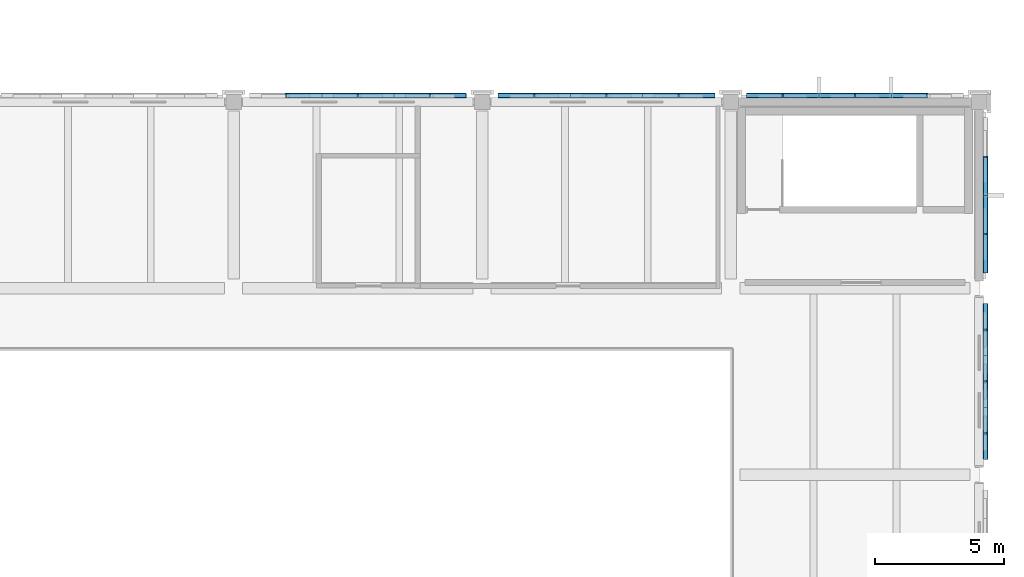
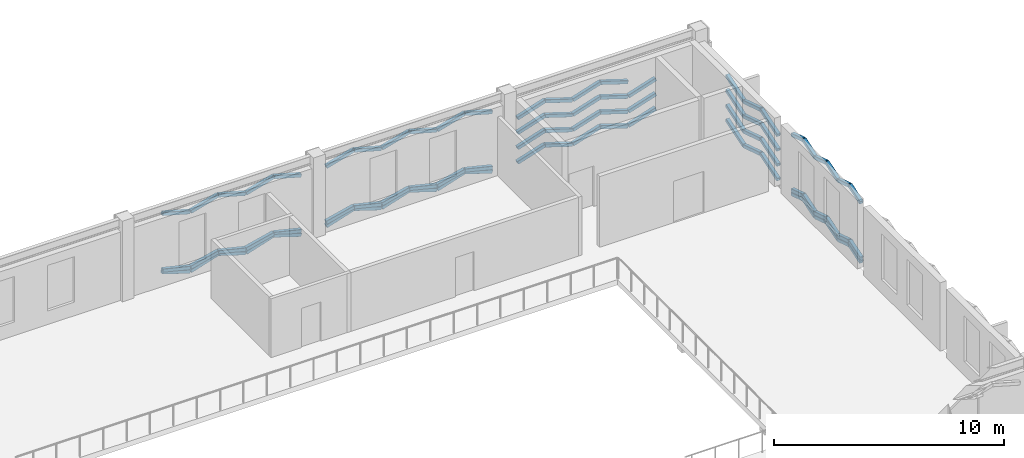
# One storey, part 149 of 180: 82 plates.
"""IFC4 building model written with IfcOpenShell, lengths in metres."""

from ifc_helpers import new_model, si_unit, direction, frame, origin, origin_2d, place, context, subcontext, project, spatial, hollow_rectangle, extrude, material, material_profile, profile_set, type_object, element, save


model = new_model("IFC4")

# Units and contexts
model_context = context("Model", 3, precision=1e-05, world=origin(), true_north=direction((0.0, 1.0)))
body_context = subcontext(model_context, "Body", "Model", "MODEL_VIEW")
ifc_project = project(units=[si_unit("LENGTHUNIT", "METRE"), si_unit("AREAUNIT", "SQUARE_METRE"), si_unit("VOLUMEUNIT", "CUBIC_METRE"), si_unit("PLANEANGLEUNIT", "RADIAN"), si_unit("MASSUNIT", "GRAM", prefix="KILO")], contexts=[model_context])

# Site, building, storey
site_placement = place(None, origin())
site = spatial("IfcSite", under=ifc_project, at=site_placement, CompositionType="ELEMENT")
building_placement = place(site_placement, origin())
building = spatial("IfcBuilding", under=site, at=building_placement, Name="Asteropetra Specialist Clinic", CompositionType="ELEMENT")
storey_placement = place(building_placement, frame((0.0, 0.0, 4.419921875)))
storey = spatial("IfcBuildingStorey", under=building, at=storey_placement, Name="L01", CompositionType="ELEMENT", Elevation=4.419921875)

# Plates
ifc_material = material(Name="Chevron emerald aluminium 6063-T6", Category="aluminium")
ifc_material_profile = material_profile(ifc_material, hollow_rectangle(XDim=0.179931640625, YDim=0.179931640625, WallThickness=0.010009765625, InnerFilletRadius=0.008056640625, OuterFilletRadius=0.01611328125, at=origin_2d()), Name="SHS 180x180x10.0")
ifc_profile_set = profile_set([ifc_material_profile], Name="Chevron emerald aluminium 6063-T6")
plate_type = type_object("IfcPlateType", Name="CHV-RIB-180", PredefinedType="SHEET", material=ifc_profile_set)
plate_1_placement = place(storey_placement, frame((133.760009765625, 105.842041015625, 0.0400390625), z_axis=(-0.952424147199, 0.0, 0.304775727104), x_axis=(0.0, -1.0, 0.0)))
element("IfcPlate", 1, at=plate_1_placement, inside=storey, type_object=plate_type, Name="Chevron Facade Screen Fin CVR-0151", PredefinedType="SHEET", context=body_context, shape_type="SweptSolid", body=[
    extrude(hollow_rectangle(XDim=0.179931640625, YDim=0.179931640625, WallThickness=0.010009765625, InnerFilletRadius=0.008056640625, OuterFilletRadius=0.01611328125, at=origin_2d()), origin(), (0.0, 0.0, 1.0), 1.44189453125),
])
plate_2_placement = place(storey_placement, frame((132.38671875, 105.842041015625, 0.4794921875), z_axis=(-0.952439871219, 0.0, -0.304726585175), x_axis=(0.0, -1.0, 0.0)))
element("IfcPlate", 2, at=plate_2_placement, inside=storey, type_object=plate_type, Name="Chevron Facade Screen Fin CVR-0152", PredefinedType="SHEET", context=body_context, shape_type="SweptSolid", body=[
    extrude(hollow_rectangle(XDim=0.179931640625, YDim=0.179931640625, WallThickness=0.010009765625, InnerFilletRadius=0.008056640625, OuterFilletRadius=0.01611328125, at=origin_2d()), origin(), (0.0, 0.0, 1.0), 1.442138671875),
])
plate_3_placement = place(storey_placement, frame((133.760009765625, 105.842041015625, 0.239990234375), z_axis=(-0.972308795496, 0.0, 0.233699820713), x_axis=(0.0, -1.0, 0.0)))
element("IfcPlate", 3, at=plate_3_placement, inside=storey, type_object=plate_type, Name="Chevron Facade Screen Fin CVR-0153", PredefinedType="SHEET", context=body_context, shape_type="SweptSolid", body=[
    extrude(hollow_rectangle(XDim=0.179931640625, YDim=0.179931640625, WallThickness=0.010009765625, InnerFilletRadius=0.008056640625, OuterFilletRadius=0.01611328125, at=origin_2d()), origin(), (0.0, 0.0, 1.0), 1.412353515625),
])
plate_4_placement = place(storey_placement, frame((132.38671875, 105.842041015625, 0.570068359375), z_axis=(-0.972318233691, 0.0, -0.233660549582), x_axis=(0.0, -1.0, 0.0)))
element("IfcPlate", 4, at=plate_4_placement, inside=storey, type_object=plate_type, Name="Chevron Facade Screen Fin CVR-0154", PredefinedType="SHEET", context=body_context, shape_type="SweptSolid", body=[
    extrude(hollow_rectangle(XDim=0.179931640625, YDim=0.179931640625, WallThickness=0.010009765625, InnerFilletRadius=0.008056640625, OuterFilletRadius=0.01611328125, at=origin_2d()), origin(), (0.0, 0.0, 1.0), 1.41259765625),
])
plate_5_placement = place(storey_placement, frame((133.760009765625, 105.842041015625, 3.190185546875), z_axis=(-0.96198081159, 0.0, 0.273117041086), x_axis=(0.0, -1.0, 0.0)))
element("IfcPlate", 5, at=plate_5_placement, inside=storey, type_object=plate_type, Name="Chevron Facade Screen Fin CVR-0155", PredefinedType="SHEET", context=body_context, shape_type="SweptSolid", body=[
    extrude(hollow_rectangle(XDim=0.179931640625, YDim=0.179931640625, WallThickness=0.010009765625, InnerFilletRadius=0.008056640625, OuterFilletRadius=0.01611328125, at=origin_2d()), origin(), (0.0, 0.0, 1.0), 1.427490234375),
])
plate_6_placement = place(storey_placement, frame((132.38671875, 105.842041015625, 3.580078125), z_axis=(-0.961993565235, 0.0, -0.273072115834), x_axis=(0.0, -1.0, 0.0)))
element("IfcPlate", 6, at=plate_6_placement, inside=storey, type_object=plate_type, Name="Chevron Facade Screen Fin CVR-0156", PredefinedType="SHEET", context=body_context, shape_type="SweptSolid", body=[
    extrude(hollow_rectangle(XDim=0.179931640625, YDim=0.179931640625, WallThickness=0.010009765625, InnerFilletRadius=0.008056640625, OuterFilletRadius=0.01611328125, at=origin_2d()), origin(), (0.0, 0.0, 1.0), 1.427734375),
])
for number, where, z_axis, x_axis, name in (
    (7, (130.973388671875, 105.842041015625, 0.0400390625), (-0.952424147199, 0.0, 0.304775727104), (0.0, -1.0, 0.0), "Chevron Facade Screen Fin CVR-0157"),
    (8, (129.60009765625, 105.842041015625, 0.4794921875), (-0.952424147199, 0.0, -0.304775727104), (0.0, -1.0, 0.0), "Chevron Facade Screen Fin CVR-0158"),
):
    element("IfcPlate", number, at=place(storey_placement, frame(where, z_axis=z_axis, x_axis=x_axis)), inside=storey, type_object=plate_type, Name=name, PredefinedType="SHEET", context=body_context, shape_type="SweptSolid", body=[
        extrude(hollow_rectangle(XDim=0.179931640625, YDim=0.179931640625, WallThickness=0.010009765625, InnerFilletRadius=0.008056640625, OuterFilletRadius=0.01611328125, at=origin_2d()), origin(), (0.0, 0.0, 1.0), 1.44189453125),
    ])
for number, where, z_axis, x_axis, name in (
    (9, (130.973388671875, 105.842041015625, 0.239990234375), (-0.972308795496, 0.0, 0.233699820713), (0.0, -1.0, 0.0), "Chevron Facade Screen Fin CVR-0159"),
    (10, (129.60009765625, 105.842041015625, 0.570068359375), (-0.972308795496, 0.0, -0.233699820713), (0.0, -1.0, 0.0), "Chevron Facade Screen Fin CVR-0160"),
):
    element("IfcPlate", number, at=place(storey_placement, frame(where, z_axis=z_axis, x_axis=x_axis)), inside=storey, type_object=plate_type, Name=name, PredefinedType="SHEET", context=body_context, shape_type="SweptSolid", body=[
        extrude(hollow_rectangle(XDim=0.179931640625, YDim=0.179931640625, WallThickness=0.010009765625, InnerFilletRadius=0.008056640625, OuterFilletRadius=0.01611328125, at=origin_2d()), origin(), (0.0, 0.0, 1.0), 1.412353515625),
    ])
for number, where, z_axis, x_axis, name in (
    (11, (130.973388671875, 105.842041015625, 3.190185546875), (-0.96198081159, 0.0, 0.273117041086), (0.0, -1.0, 0.0), "Chevron Facade Screen Fin CVR-0161"),
    (12, (129.60009765625, 105.842041015625, 3.580078125), (-0.96198081159, 0.0, -0.273117041086), (0.0, -1.0, 0.0), "Chevron Facade Screen Fin CVR-0162"),
):
    element("IfcPlate", number, at=place(storey_placement, frame(where, z_axis=z_axis, x_axis=x_axis)), inside=storey, type_object=plate_type, Name=name, PredefinedType="SHEET", context=body_context, shape_type="SweptSolid", body=[
        extrude(hollow_rectangle(XDim=0.179931640625, YDim=0.179931640625, WallThickness=0.010009765625, InnerFilletRadius=0.008056640625, OuterFilletRadius=0.01611328125, at=origin_2d()), origin(), (0.0, 0.0, 1.0), 1.427490234375),
    ])
plate_7_placement = place(storey_placement, frame((128.186767578125, 105.842041015625, 0.0400390625), z_axis=(-0.952439871219, 0.0, 0.304726585175), x_axis=(0.0, -1.0, 0.0)))
element("IfcPlate", 13, at=plate_7_placement, inside=storey, type_object=plate_type, Name="Chevron Facade Screen Fin CVR-0163", PredefinedType="SHEET", context=body_context, shape_type="SweptSolid", body=[
    extrude(hollow_rectangle(XDim=0.179931640625, YDim=0.179931640625, WallThickness=0.010009765625, InnerFilletRadius=0.008056640625, OuterFilletRadius=0.01611328125, at=origin_2d()), origin(), (0.0, 0.0, 1.0), 1.442138671875),
])
plate_8_placement = place(storey_placement, frame((128.186767578125, 105.842041015625, 0.239990234375), z_axis=(-0.972318233691, 0.0, 0.233660549582), x_axis=(0.0, -1.0, 0.0)))
element("IfcPlate", 14, at=plate_8_placement, inside=storey, type_object=plate_type, Name="Chevron Facade Screen Fin CVR-0165", PredefinedType="SHEET", context=body_context, shape_type="SweptSolid", body=[
    extrude(hollow_rectangle(XDim=0.179931640625, YDim=0.179931640625, WallThickness=0.010009765625, InnerFilletRadius=0.008056640625, OuterFilletRadius=0.01611328125, at=origin_2d()), origin(), (0.0, 0.0, 1.0), 1.41259765625),
])
plate_9_placement = place(storey_placement, frame((128.186767578125, 105.842041015625, 3.190185546875), z_axis=(-0.961993565235, 0.0, 0.273072115834), x_axis=(0.0, -1.0, 0.0)))
element("IfcPlate", 15, at=plate_9_placement, inside=storey, type_object=plate_type, Name="Chevron Facade Screen Fin CVR-0167", PredefinedType="SHEET", context=body_context, shape_type="SweptSolid", body=[
    extrude(hollow_rectangle(XDim=0.179931640625, YDim=0.179931640625, WallThickness=0.010009765625, InnerFilletRadius=0.008056640625, OuterFilletRadius=0.01611328125, at=origin_2d()), origin(), (0.0, 0.0, 1.0), 1.427734375),
])
plate_10_placement = place(storey_placement, frame((143.360107421875, 105.842041015625, 0.0400390625), z_axis=(-0.952424147199, 0.0, 0.304775727104), x_axis=(0.0, -1.0, 0.0)))
element("IfcPlate", 16, at=plate_10_placement, inside=storey, type_object=plate_type, Name="Chevron Facade Screen Fin CVR-0187", PredefinedType="SHEET", context=body_context, shape_type="SweptSolid", body=[
    extrude(hollow_rectangle(XDim=0.179931640625, YDim=0.179931640625, WallThickness=0.010009765625, InnerFilletRadius=0.008056640625, OuterFilletRadius=0.01611328125, at=origin_2d()), origin(), (0.0, 0.0, 1.0), 1.44189453125),
])
plate_11_placement = place(storey_placement, frame((141.98681640625, 105.842041015625, 0.4794921875), z_axis=(-0.952439871219, 0.0, -0.304726585175), x_axis=(0.0, -1.0, 0.0)))
element("IfcPlate", 17, at=plate_11_placement, inside=storey, type_object=plate_type, Name="Chevron Facade Screen Fin CVR-0188", PredefinedType="SHEET", context=body_context, shape_type="SweptSolid", body=[
    extrude(hollow_rectangle(XDim=0.179931640625, YDim=0.179931640625, WallThickness=0.010009765625, InnerFilletRadius=0.008056640625, OuterFilletRadius=0.01611328125, at=origin_2d()), origin(), (0.0, 0.0, 1.0), 1.442138671875),
])
plate_12_placement = place(storey_placement, frame((143.360107421875, 105.842041015625, 0.239990234375), z_axis=(-0.972308795496, 0.0, 0.233699820713), x_axis=(0.0, -1.0, 0.0)))
element("IfcPlate", 18, at=plate_12_placement, inside=storey, type_object=plate_type, Name="Chevron Facade Screen Fin CVR-0189", PredefinedType="SHEET", context=body_context, shape_type="SweptSolid", body=[
    extrude(hollow_rectangle(XDim=0.179931640625, YDim=0.179931640625, WallThickness=0.010009765625, InnerFilletRadius=0.008056640625, OuterFilletRadius=0.01611328125, at=origin_2d()), origin(), (0.0, 0.0, 1.0), 1.412353515625),
])
plate_13_placement = place(storey_placement, frame((141.98681640625, 105.842041015625, 0.570068359375), z_axis=(-0.972318233691, 0.0, -0.233660549582), x_axis=(0.0, -1.0, 0.0)))
element("IfcPlate", 19, at=plate_13_placement, inside=storey, type_object=plate_type, Name="Chevron Facade Screen Fin CVR-0190", PredefinedType="SHEET", context=body_context, shape_type="SweptSolid", body=[
    extrude(hollow_rectangle(XDim=0.179931640625, YDim=0.179931640625, WallThickness=0.010009765625, InnerFilletRadius=0.008056640625, OuterFilletRadius=0.01611328125, at=origin_2d()), origin(), (0.0, 0.0, 1.0), 1.41259765625),
])
plate_14_placement = place(storey_placement, frame((143.360107421875, 105.842041015625, 3.190185546875), z_axis=(-0.96198081159, 0.0, 0.273117041086), x_axis=(0.0, -1.0, 0.0)))
element("IfcPlate", 20, at=plate_14_placement, inside=storey, type_object=plate_type, Name="Chevron Facade Screen Fin CVR-0191", PredefinedType="SHEET", context=body_context, shape_type="SweptSolid", body=[
    extrude(hollow_rectangle(XDim=0.179931640625, YDim=0.179931640625, WallThickness=0.010009765625, InnerFilletRadius=0.008056640625, OuterFilletRadius=0.01611328125, at=origin_2d()), origin(), (0.0, 0.0, 1.0), 1.427490234375),
])
plate_15_placement = place(storey_placement, frame((141.98681640625, 105.842041015625, 3.580078125), z_axis=(-0.961993565235, 0.0, -0.273072115834), x_axis=(0.0, -1.0, 0.0)))
element("IfcPlate", 21, at=plate_15_placement, inside=storey, type_object=plate_type, Name="Chevron Facade Screen Fin CVR-0192", PredefinedType="SHEET", context=body_context, shape_type="SweptSolid", body=[
    extrude(hollow_rectangle(XDim=0.179931640625, YDim=0.179931640625, WallThickness=0.010009765625, InnerFilletRadius=0.008056640625, OuterFilletRadius=0.01611328125, at=origin_2d()), origin(), (0.0, 0.0, 1.0), 1.427734375),
])
for number, where, z_axis, x_axis, name in (
    (22, (140.5732421875, 105.842041015625, 0.0400390625), (-0.952424147199, 0.0, 0.304775727104), (0.0, -1.0, 0.0), "Chevron Facade Screen Fin CVR-0193"),
    (23, (139.199951171875, 105.842041015625, 0.4794921875), (-0.952424147199, 0.0, -0.304775727104), (0.0, -1.0, 0.0), "Chevron Facade Screen Fin CVR-0194"),
):
    element("IfcPlate", number, at=place(storey_placement, frame(where, z_axis=z_axis, x_axis=x_axis)), inside=storey, type_object=plate_type, Name=name, PredefinedType="SHEET", context=body_context, shape_type="SweptSolid", body=[
        extrude(hollow_rectangle(XDim=0.179931640625, YDim=0.179931640625, WallThickness=0.010009765625, InnerFilletRadius=0.008056640625, OuterFilletRadius=0.01611328125, at=origin_2d()), origin(), (0.0, 0.0, 1.0), 1.44189453125),
    ])
for number, where, z_axis, x_axis, name in (
    (24, (140.5732421875, 105.842041015625, 0.239990234375), (-0.972308795496, 0.0, 0.233699820713), (0.0, -1.0, 0.0), "Chevron Facade Screen Fin CVR-0195"),
    (25, (139.199951171875, 105.842041015625, 0.570068359375), (-0.972308795496, 0.0, -0.233699820713), (0.0, -1.0, 0.0), "Chevron Facade Screen Fin CVR-0196"),
):
    element("IfcPlate", number, at=place(storey_placement, frame(where, z_axis=z_axis, x_axis=x_axis)), inside=storey, type_object=plate_type, Name=name, PredefinedType="SHEET", context=body_context, shape_type="SweptSolid", body=[
        extrude(hollow_rectangle(XDim=0.179931640625, YDim=0.179931640625, WallThickness=0.010009765625, InnerFilletRadius=0.008056640625, OuterFilletRadius=0.01611328125, at=origin_2d()), origin(), (0.0, 0.0, 1.0), 1.412353515625),
    ])
for number, where, z_axis, x_axis, name in (
    (26, (140.5732421875, 105.842041015625, 3.190185546875), (-0.96198081159, 0.0, 0.273117041086), (0.0, -1.0, 0.0), "Chevron Facade Screen Fin CVR-0197"),
    (27, (139.199951171875, 105.842041015625, 3.580078125), (-0.96198081159, 0.0, -0.273117041086), (0.0, -1.0, 0.0), "Chevron Facade Screen Fin CVR-0198"),
):
    element("IfcPlate", number, at=place(storey_placement, frame(where, z_axis=z_axis, x_axis=x_axis)), inside=storey, type_object=plate_type, Name=name, PredefinedType="SHEET", context=body_context, shape_type="SweptSolid", body=[
        extrude(hollow_rectangle(XDim=0.179931640625, YDim=0.179931640625, WallThickness=0.010009765625, InnerFilletRadius=0.008056640625, OuterFilletRadius=0.01611328125, at=origin_2d()), origin(), (0.0, 0.0, 1.0), 1.427490234375),
    ])
for number, where, z_axis, x_axis, name in (
    (28, (137.78662109375, 105.842041015625, 0.0400390625), (-0.952424147199, 0.0, 0.304775727104), (0.0, -1.0, 0.0), "Chevron Facade Screen Fin CVR-0199"),
    (29, (136.413330078125, 105.842041015625, 0.4794921875), (-0.952424147199, 0.0, -0.304775727104), (0.0, -1.0, 0.0), "Chevron Facade Screen Fin CVR-0200"),
):
    element("IfcPlate", number, at=place(storey_placement, frame(where, z_axis=z_axis, x_axis=x_axis)), inside=storey, type_object=plate_type, Name=name, PredefinedType="SHEET", context=body_context, shape_type="SweptSolid", body=[
        extrude(hollow_rectangle(XDim=0.179931640625, YDim=0.179931640625, WallThickness=0.010009765625, InnerFilletRadius=0.008056640625, OuterFilletRadius=0.01611328125, at=origin_2d()), origin(), (0.0, 0.0, 1.0), 1.44189453125),
    ])
for number, where, z_axis, x_axis, name in (
    (30, (137.78662109375, 105.842041015625, 0.239990234375), (-0.972308795496, 0.0, 0.233699820713), (0.0, -1.0, 0.0), "Chevron Facade Screen Fin CVR-0201"),
    (31, (136.413330078125, 105.842041015625, 0.570068359375), (-0.972308795496, 0.0, -0.233699820713), (0.0, -1.0, 0.0), "Chevron Facade Screen Fin CVR-0202"),
):
    element("IfcPlate", number, at=place(storey_placement, frame(where, z_axis=z_axis, x_axis=x_axis)), inside=storey, type_object=plate_type, Name=name, PredefinedType="SHEET", context=body_context, shape_type="SweptSolid", body=[
        extrude(hollow_rectangle(XDim=0.179931640625, YDim=0.179931640625, WallThickness=0.010009765625, InnerFilletRadius=0.008056640625, OuterFilletRadius=0.01611328125, at=origin_2d()), origin(), (0.0, 0.0, 1.0), 1.412353515625),
    ])
for number, where, z_axis, x_axis, name in (
    (32, (137.78662109375, 105.842041015625, 3.190185546875), (-0.96198081159, 0.0, 0.273117041086), (0.0, -1.0, 0.0), "Chevron Facade Screen Fin CVR-0203"),
    (33, (136.413330078125, 105.842041015625, 3.580078125), (-0.96198081159, 0.0, -0.273117041086), (0.0, -1.0, 0.0), "Chevron Facade Screen Fin CVR-0204"),
):
    element("IfcPlate", number, at=place(storey_placement, frame(where, z_axis=z_axis, x_axis=x_axis)), inside=storey, type_object=plate_type, Name=name, PredefinedType="SHEET", context=body_context, shape_type="SweptSolid", body=[
        extrude(hollow_rectangle(XDim=0.179931640625, YDim=0.179931640625, WallThickness=0.010009765625, InnerFilletRadius=0.008056640625, OuterFilletRadius=0.01611328125, at=origin_2d()), origin(), (0.0, 0.0, 1.0), 1.427490234375),
    ])
for number, where, z_axis, x_axis, name in (
    (34, (151.586669921875, 105.842041015625, 0.4892578125), (-0.952473286797, 0.0, -0.304622123191), (0.0, -1.0, 0.0), "Chevron Facade Screen Fin CVR-0224"),
    (35, (151.586669921875, 105.842041015625, 1.25927734375), (-0.952473286797, 0.0, -0.304622123191), (0.0, -1.0, 0.0), "Chevron Facade Screen Fin CVR-0226"),
    (36, (151.586669921875, 105.842041015625, 2.059326171875), (-0.952473286797, 0.0, -0.304622123191), (0.0, -1.0, 0.0), "Chevron Facade Screen Fin CVR-0228"),
    (37, (150.17333984375, 105.842041015625, 0.050048828125), (-0.952473286797, 0.0, 0.304622123191), (0.0, -1.0, 0.0), "Chevron Facade Screen Fin CVR-0231"),
    (38, (148.800048828125, 105.842041015625, 0.4892578125), (-0.952473286797, 0.0, -0.304622123191), (0.0, -1.0, 0.0), "Chevron Facade Screen Fin CVR-0232"),
    (39, (150.17333984375, 105.842041015625, 0.820068359375), (-0.952473286797, 0.0, 0.304622123191), (0.0, -1.0, 0.0), "Chevron Facade Screen Fin CVR-0233"),
    (40, (148.800048828125, 105.842041015625, 1.25927734375), (-0.952473286797, 0.0, -0.304622123191), (0.0, -1.0, 0.0), "Chevron Facade Screen Fin CVR-0234"),
    (41, (150.17333984375, 105.842041015625, 1.6201171875), (-0.952473286797, 0.0, 0.304622123191), (0.0, -1.0, 0.0), "Chevron Facade Screen Fin CVR-0235"),
    (42, (148.800048828125, 105.842041015625, 2.059326171875), (-0.952473286797, 0.0, -0.304622123191), (0.0, -1.0, 0.0), "Chevron Facade Screen Fin CVR-0236"),
    (43, (150.17333984375, 105.842041015625, 2.400146484375), (-0.952473286797, 0.0, 0.304622123191), (0.0, -1.0, 0.0), "Chevron Facade Screen Fin CVR-0237"),
    (44, (148.800048828125, 105.842041015625, 2.83935546875), (-0.952473286797, 0.0, -0.304622123191), (0.0, -1.0, 0.0), "Chevron Facade Screen Fin CVR-0238"),
):
    element("IfcPlate", number, at=place(storey_placement, frame(where, z_axis=z_axis, x_axis=x_axis)), inside=storey, type_object=plate_type, Name=name, PredefinedType="SHEET", context=body_context, shape_type="SweptSolid", body=[
        extrude(hollow_rectangle(XDim=0.179931640625, YDim=0.179931640625, WallThickness=0.010009765625, InnerFilletRadius=0.008056640625, OuterFilletRadius=0.01611328125, at=origin_2d()), origin(), (0.0, 0.0, 1.0), 1.44189453125),
    ])
plate_16_placement = place(storey_placement, frame((147.38671875, 105.842041015625, 0.050048828125), z_axis=(-0.952488995782, 0.0, 0.304573000962), x_axis=(0.0, -1.0, 0.0)))
element("IfcPlate", 45, at=plate_16_placement, inside=storey, type_object=plate_type, Name="Chevron Facade Screen Fin CVR-0239", PredefinedType="SHEET", context=body_context, shape_type="SweptSolid", body=[
    extrude(hollow_rectangle(XDim=0.179931640625, YDim=0.179931640625, WallThickness=0.010009765625, InnerFilletRadius=0.008056640625, OuterFilletRadius=0.01611328125, at=origin_2d()), origin(), (0.0, 0.0, 1.0), 1.442138671875),
])
plate_17_placement = place(storey_placement, frame((146.01318359375, 105.842041015625, 0.4892578125), z_axis=(-0.952473286797, 0.0, -0.304622123191), x_axis=(0.0, -1.0, 0.0)))
element("IfcPlate", 46, at=plate_17_placement, inside=storey, type_object=plate_type, Name="Chevron Facade Screen Fin CVR-0240", PredefinedType="SHEET", context=body_context, shape_type="SweptSolid", body=[
    extrude(hollow_rectangle(XDim=0.179931640625, YDim=0.179931640625, WallThickness=0.010009765625, InnerFilletRadius=0.008056640625, OuterFilletRadius=0.01611328125, at=origin_2d()), origin(), (0.0, 0.0, 1.0), 1.44189453125),
])
plate_18_placement = place(storey_placement, frame((147.38671875, 105.842041015625, 0.820068359375), z_axis=(-0.952488995782, 0.0, 0.304573000962), x_axis=(0.0, -1.0, 0.0)))
element("IfcPlate", 47, at=plate_18_placement, inside=storey, type_object=plate_type, Name="Chevron Facade Screen Fin CVR-0241", PredefinedType="SHEET", context=body_context, shape_type="SweptSolid", body=[
    extrude(hollow_rectangle(XDim=0.179931640625, YDim=0.179931640625, WallThickness=0.010009765625, InnerFilletRadius=0.008056640625, OuterFilletRadius=0.01611328125, at=origin_2d()), origin(), (0.0, 0.0, 1.0), 1.442138671875),
])
plate_19_placement = place(storey_placement, frame((146.01318359375, 105.842041015625, 1.25927734375), z_axis=(-0.952473286797, 0.0, -0.304622123191), x_axis=(0.0, -1.0, 0.0)))
element("IfcPlate", 48, at=plate_19_placement, inside=storey, type_object=plate_type, Name="Chevron Facade Screen Fin CVR-0242", PredefinedType="SHEET", context=body_context, shape_type="SweptSolid", body=[
    extrude(hollow_rectangle(XDim=0.179931640625, YDim=0.179931640625, WallThickness=0.010009765625, InnerFilletRadius=0.008056640625, OuterFilletRadius=0.01611328125, at=origin_2d()), origin(), (0.0, 0.0, 1.0), 1.44189453125),
])
plate_20_placement = place(storey_placement, frame((147.38671875, 105.842041015625, 1.6201171875), z_axis=(-0.952488995782, 0.0, 0.304573000962), x_axis=(0.0, -1.0, 0.0)))
element("IfcPlate", 49, at=plate_20_placement, inside=storey, type_object=plate_type, Name="Chevron Facade Screen Fin CVR-0243", PredefinedType="SHEET", context=body_context, shape_type="SweptSolid", body=[
    extrude(hollow_rectangle(XDim=0.179931640625, YDim=0.179931640625, WallThickness=0.010009765625, InnerFilletRadius=0.008056640625, OuterFilletRadius=0.01611328125, at=origin_2d()), origin(), (0.0, 0.0, 1.0), 1.442138671875),
])
plate_21_placement = place(storey_placement, frame((146.01318359375, 105.842041015625, 2.059326171875), z_axis=(-0.952473286797, 0.0, -0.304622123191), x_axis=(0.0, -1.0, 0.0)))
element("IfcPlate", 50, at=plate_21_placement, inside=storey, type_object=plate_type, Name="Chevron Facade Screen Fin CVR-0244", PredefinedType="SHEET", context=body_context, shape_type="SweptSolid", body=[
    extrude(hollow_rectangle(XDim=0.179931640625, YDim=0.179931640625, WallThickness=0.010009765625, InnerFilletRadius=0.008056640625, OuterFilletRadius=0.01611328125, at=origin_2d()), origin(), (0.0, 0.0, 1.0), 1.44189453125),
])
plate_22_placement = place(storey_placement, frame((147.38671875, 105.842041015625, 2.400146484375), z_axis=(-0.952488995782, 0.0, 0.304573000962), x_axis=(0.0, -1.0, 0.0)))
element("IfcPlate", 51, at=plate_22_placement, inside=storey, type_object=plate_type, Name="Chevron Facade Screen Fin CVR-0245", PredefinedType="SHEET", context=body_context, shape_type="SweptSolid", body=[
    extrude(hollow_rectangle(XDim=0.179931640625, YDim=0.179931640625, WallThickness=0.010009765625, InnerFilletRadius=0.008056640625, OuterFilletRadius=0.01611328125, at=origin_2d()), origin(), (0.0, 0.0, 1.0), 1.442138671875),
])
plate_23_placement = place(storey_placement, frame((146.01318359375, 105.842041015625, 2.83935546875), z_axis=(-0.952473286797, 0.0, -0.304622123191), x_axis=(0.0, -1.0, 0.0)))
element("IfcPlate", 52, at=plate_23_placement, inside=storey, type_object=plate_type, Name="Chevron Facade Screen Fin CVR-0246", PredefinedType="SHEET", context=body_context, shape_type="SweptSolid", body=[
    extrude(hollow_rectangle(XDim=0.179931640625, YDim=0.179931640625, WallThickness=0.010009765625, InnerFilletRadius=0.008056640625, OuterFilletRadius=0.01611328125, at=origin_2d()), origin(), (0.0, 0.0, 1.0), 1.44189453125),
])
for number, where, z_axis, x_axis, name in (
    (53, (153.842041015625, 91.820068359375, 0.0400390625), (0.0, 0.951905113025, 0.306392976091), (-1.0, 0.0, 0.0), "Chevron Facade Screen Fin CVR-0313"),
    (54, (153.842041015625, 92.800048828125, 0.35546875), (0.0, 0.951905113025, -0.306392976091), (-1.0, 0.0, 0.0), "Chevron Facade Screen Fin CVR-0314"),
    (55, (153.842041015625, 91.820068359375, 0.239990234375), (0.0, 0.951905113025, 0.306392976091), (-1.0, 0.0, 0.0), "Chevron Facade Screen Fin CVR-0315"),
    (56, (153.842041015625, 92.800048828125, 0.555419921875), (0.0, 0.951905113025, -0.306392976091), (-1.0, 0.0, 0.0), "Chevron Facade Screen Fin CVR-0316"),
    (57, (153.842041015625, 91.820068359375, 3.190185546875), (0.0, 0.951974259169, 0.306178068906), (-1.0, 0.0, 0.0), "Chevron Facade Screen Fin CVR-0317"),
    (58, (153.842041015625, 92.800048828125, 3.50537109375), (0.0, 0.951974259169, -0.306178068906), (-1.0, 0.0, 0.0), "Chevron Facade Screen Fin CVR-0318"),
    (59, (153.842041015625, 93.820068359375, 0.0400390625), (0.0, 0.951905113025, 0.306392976091), (-1.0, 0.0, 0.0), "Chevron Facade Screen Fin CVR-0319"),
    (60, (153.842041015625, 94.800048828125, 0.35546875), (0.0, 0.951905113025, -0.306392976091), (-1.0, 0.0, 0.0), "Chevron Facade Screen Fin CVR-0320"),
    (61, (153.842041015625, 93.820068359375, 0.239990234375), (0.0, 0.951905113025, 0.306392976091), (-1.0, 0.0, 0.0), "Chevron Facade Screen Fin CVR-0321"),
    (62, (153.842041015625, 94.800048828125, 0.555419921875), (0.0, 0.951905113025, -0.306392976091), (-1.0, 0.0, 0.0), "Chevron Facade Screen Fin CVR-0322"),
    (63, (153.842041015625, 93.820068359375, 3.190185546875), (0.0, 0.951974259169, 0.306178068906), (-1.0, 0.0, 0.0), "Chevron Facade Screen Fin CVR-0323"),
    (64, (153.842041015625, 94.800048828125, 3.50537109375), (0.0, 0.951974259169, -0.306178068906), (-1.0, 0.0, 0.0), "Chevron Facade Screen Fin CVR-0324"),
    (65, (153.842041015625, 95.820068359375, 0.0400390625), (0.0, 0.951905113025, 0.306392976091), (-1.0, 0.0, 0.0), "Chevron Facade Screen Fin CVR-0325"),
    (66, (153.842041015625, 96.800048828125, 0.35546875), (0.0, 0.951905113025, -0.306392976091), (-1.0, 0.0, 0.0), "Chevron Facade Screen Fin CVR-0326"),
    (67, (153.842041015625, 95.820068359375, 0.239990234375), (0.0, 0.951905113025, 0.306392976091), (-1.0, 0.0, 0.0), "Chevron Facade Screen Fin CVR-0327"),
    (68, (153.842041015625, 96.800048828125, 0.555419921875), (0.0, 0.951905113025, -0.306392976091), (-1.0, 0.0, 0.0), "Chevron Facade Screen Fin CVR-0328"),
    (69, (153.842041015625, 95.820068359375, 3.190185546875), (0.0, 0.951974259169, 0.306178068906), (-1.0, 0.0, 0.0), "Chevron Facade Screen Fin CVR-0329"),
    (70, (153.842041015625, 96.800048828125, 3.50537109375), (0.0, 0.951974259169, -0.306178068906), (-1.0, 0.0, 0.0), "Chevron Facade Screen Fin CVR-0330"),
):
    element("IfcPlate", number, at=place(storey_placement, frame(where, z_axis=z_axis, x_axis=x_axis)), inside=storey, type_object=plate_type, Name=name, PredefinedType="SHEET", context=body_context, shape_type="SweptSolid", body=[
        extrude(hollow_rectangle(XDim=0.179931640625, YDim=0.179931640625, WallThickness=0.010009765625, InnerFilletRadius=0.008056640625, OuterFilletRadius=0.01611328125, at=origin_2d()), origin(), (0.0, 0.0, 1.0), 1.029541015625),
    ])
plate_24_placement = place(storey_placement, frame((153.842041015625, 99.02001953125, 0.050048828125), z_axis=(0.0, 0.952535744188, 0.304426766307), x_axis=(-1.0, 0.0, 0.0)))
element("IfcPlate", 71, at=plate_24_placement, inside=storey, type_object=plate_type, Name="Chevron Facade Screen Fin CVR-0347", PredefinedType="SHEET", context=body_context, shape_type="SweptSolid", body=[
    extrude(hollow_rectangle(XDim=0.179931640625, YDim=0.179931640625, WallThickness=0.010009765625, InnerFilletRadius=0.008056640625, OuterFilletRadius=0.01611328125, at=origin_2d()), origin(), (0.0, 0.0, 1.0), 1.548583984375),
])
plate_25_placement = place(storey_placement, frame((153.842041015625, 100.4951171875, 0.521484375), z_axis=(0.0, 0.952521130358, -0.304472488449), x_axis=(-1.0, 0.0, 0.0)))
element("IfcPlate", 72, at=plate_25_placement, inside=storey, type_object=plate_type, Name="Chevron Facade Screen Fin CVR-0348", PredefinedType="SHEET", context=body_context, shape_type="SweptSolid", body=[
    extrude(hollow_rectangle(XDim=0.179931640625, YDim=0.179931640625, WallThickness=0.010009765625, InnerFilletRadius=0.008056640625, OuterFilletRadius=0.01611328125, at=origin_2d()), origin(), (0.0, 0.0, 1.0), 1.54833984375),
])
plate_26_placement = place(storey_placement, frame((153.842041015625, 99.02001953125, 0.820068359375), z_axis=(0.0, 0.952535744188, 0.304426766307), x_axis=(-1.0, 0.0, 0.0)))
element("IfcPlate", 73, at=plate_26_placement, inside=storey, type_object=plate_type, Name="Chevron Facade Screen Fin CVR-0349", PredefinedType="SHEET", context=body_context, shape_type="SweptSolid", body=[
    extrude(hollow_rectangle(XDim=0.179931640625, YDim=0.179931640625, WallThickness=0.010009765625, InnerFilletRadius=0.008056640625, OuterFilletRadius=0.01611328125, at=origin_2d()), origin(), (0.0, 0.0, 1.0), 1.548583984375),
])
plate_27_placement = place(storey_placement, frame((153.842041015625, 100.4951171875, 1.29150390625), z_axis=(0.0, 0.952521130358, -0.304472488449), x_axis=(-1.0, 0.0, 0.0)))
element("IfcPlate", 74, at=plate_27_placement, inside=storey, type_object=plate_type, Name="Chevron Facade Screen Fin CVR-0350", PredefinedType="SHEET", context=body_context, shape_type="SweptSolid", body=[
    extrude(hollow_rectangle(XDim=0.179931640625, YDim=0.179931640625, WallThickness=0.010009765625, InnerFilletRadius=0.008056640625, OuterFilletRadius=0.01611328125, at=origin_2d()), origin(), (0.0, 0.0, 1.0), 1.54833984375),
])
plate_28_placement = place(storey_placement, frame((153.842041015625, 99.02001953125, 1.6201171875), z_axis=(0.0, 0.952535744188, 0.304426766307), x_axis=(-1.0, 0.0, 0.0)))
element("IfcPlate", 75, at=plate_28_placement, inside=storey, type_object=plate_type, Name="Chevron Facade Screen Fin CVR-0351", PredefinedType="SHEET", context=body_context, shape_type="SweptSolid", body=[
    extrude(hollow_rectangle(XDim=0.179931640625, YDim=0.179931640625, WallThickness=0.010009765625, InnerFilletRadius=0.008056640625, OuterFilletRadius=0.01611328125, at=origin_2d()), origin(), (0.0, 0.0, 1.0), 1.548583984375),
])
plate_29_placement = place(storey_placement, frame((153.842041015625, 100.4951171875, 2.091552734375), z_axis=(0.0, 0.952521130358, -0.304472488449), x_axis=(-1.0, 0.0, 0.0)))
element("IfcPlate", 76, at=plate_29_placement, inside=storey, type_object=plate_type, Name="Chevron Facade Screen Fin CVR-0352", PredefinedType="SHEET", context=body_context, shape_type="SweptSolid", body=[
    extrude(hollow_rectangle(XDim=0.179931640625, YDim=0.179931640625, WallThickness=0.010009765625, InnerFilletRadius=0.008056640625, OuterFilletRadius=0.01611328125, at=origin_2d()), origin(), (0.0, 0.0, 1.0), 1.54833984375),
])
plate_30_placement = place(storey_placement, frame((153.842041015625, 99.02001953125, 2.400146484375), z_axis=(0.0, 0.952535744188, 0.304426766307), x_axis=(-1.0, 0.0, 0.0)))
element("IfcPlate", 77, at=plate_30_placement, inside=storey, type_object=plate_type, Name="Chevron Facade Screen Fin CVR-0353", PredefinedType="SHEET", context=body_context, shape_type="SweptSolid", body=[
    extrude(hollow_rectangle(XDim=0.179931640625, YDim=0.179931640625, WallThickness=0.010009765625, InnerFilletRadius=0.008056640625, OuterFilletRadius=0.01611328125, at=origin_2d()), origin(), (0.0, 0.0, 1.0), 1.548583984375),
])
plate_31_placement = place(storey_placement, frame((153.842041015625, 100.4951171875, 2.87158203125), z_axis=(0.0, 0.952521130358, -0.304472488449), x_axis=(-1.0, 0.0, 0.0)))
element("IfcPlate", 78, at=plate_31_placement, inside=storey, type_object=plate_type, Name="Chevron Facade Screen Fin CVR-0354", PredefinedType="SHEET", context=body_context, shape_type="SweptSolid", body=[
    extrude(hollow_rectangle(XDim=0.179931640625, YDim=0.179931640625, WallThickness=0.010009765625, InnerFilletRadius=0.008056640625, OuterFilletRadius=0.01611328125, at=origin_2d()), origin(), (0.0, 0.0, 1.0), 1.54833984375),
])
for number, where, z_axis, x_axis, name in (
    (79, (153.842041015625, 102.010009765625, 0.050048828125), (0.0, 0.952535744188, 0.304426766307), (-1.0, 0.0, 0.0), "Chevron Facade Screen Fin CVR-0355"),
    (80, (153.842041015625, 102.010009765625, 0.820068359375), (0.0, 0.952535744188, 0.304426766307), (-1.0, 0.0, 0.0), "Chevron Facade Screen Fin CVR-0357"),
    (81, (153.842041015625, 102.010009765625, 1.6201171875), (0.0, 0.952535744188, 0.304426766307), (-1.0, 0.0, 0.0), "Chevron Facade Screen Fin CVR-0359"),
    (82, (153.842041015625, 102.010009765625, 2.400146484375), (0.0, 0.952535744188, 0.304426766307), (-1.0, 0.0, 0.0), "Chevron Facade Screen Fin CVR-0361"),
):
    element("IfcPlate", number, at=place(storey_placement, frame(where, z_axis=z_axis, x_axis=x_axis)), inside=storey, type_object=plate_type, Name=name, PredefinedType="SHEET", context=body_context, shape_type="SweptSolid", body=[
        extrude(hollow_rectangle(XDim=0.179931640625, YDim=0.179931640625, WallThickness=0.010009765625, InnerFilletRadius=0.008056640625, OuterFilletRadius=0.01611328125, at=origin_2d()), origin(), (0.0, 0.0, 1.0), 1.548583984375),
    ])

save(model, "model.ifc")
